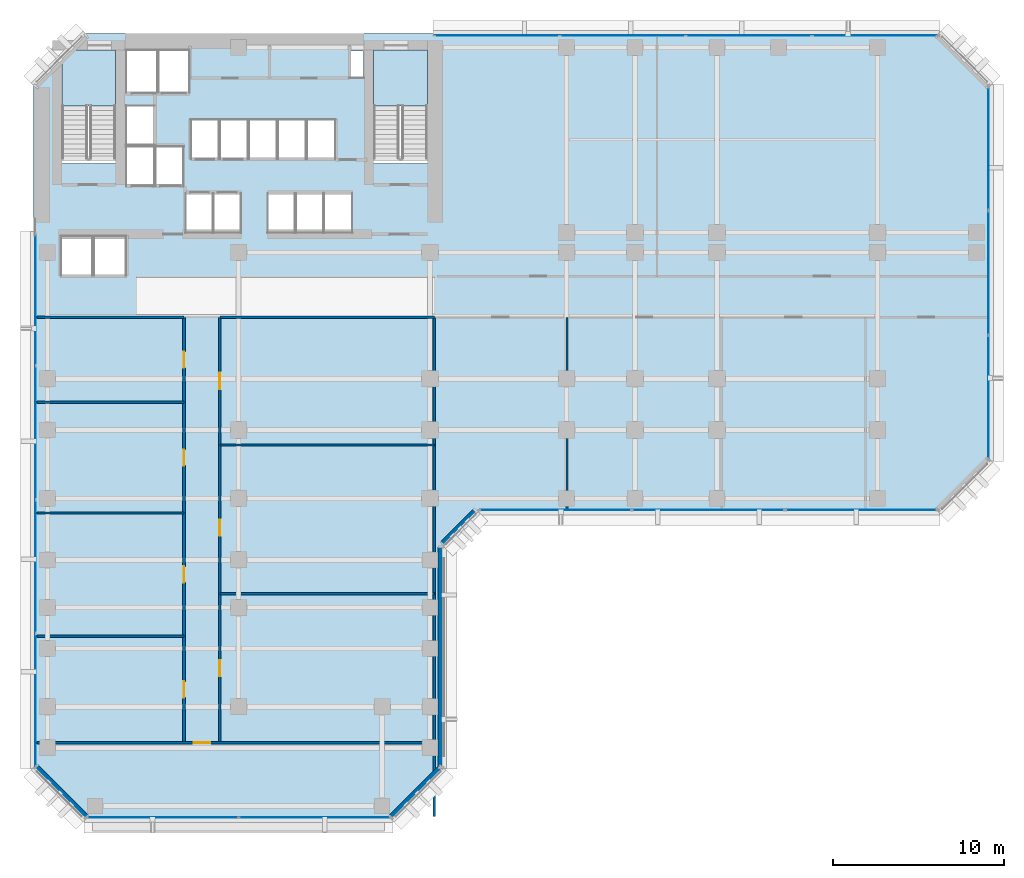
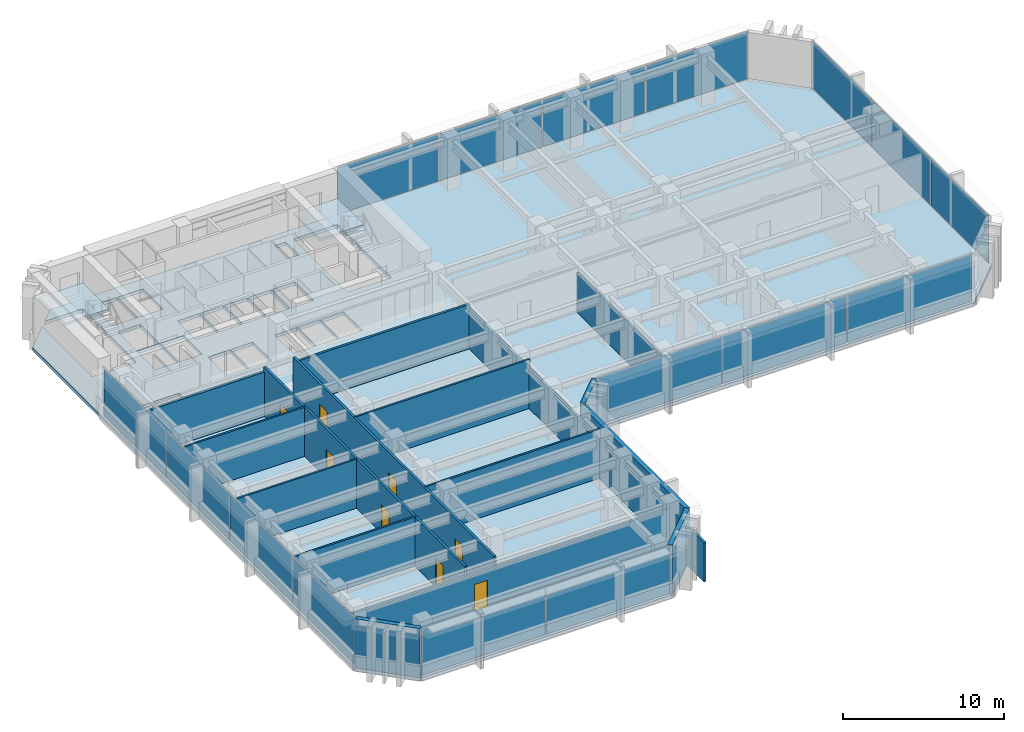
# One storey, part 6 of 13: 16 plates, 16 walls, 8 doors, 3 slabs, 8 openings, 7 elements without a shape of their own.
"""IFC4 building model written with IfcOpenShell, lengths in metres."""

from ifc_helpers import new_model, si_unit, direction, frame, frame_2d, origin, origin_2d, place, context, subcontext, project, spatial, polyline, rectangle, outline, extrude, material, layer, layer_set, type_object, element, fill, aggregate, save


model = new_model("IFC4")

# Units and contexts
model_context = context("Model", 3, precision=1e-05, world=origin(), true_north=direction((0.0, 1.0)))
body_context = subcontext(model_context, "Body", "Model", "MODEL_VIEW")
ifc_project = project(units=[si_unit("LENGTHUNIT", "METRE"), si_unit("AREAUNIT", "SQUARE_METRE"), si_unit("VOLUMEUNIT", "CUBIC_METRE"), si_unit("PLANEANGLEUNIT", "RADIAN"), si_unit("MASSUNIT", "GRAM", prefix="KILO")], contexts=[model_context])

# Site, building, storey
site_placement = place(None, origin())
site = spatial("IfcSite", under=ifc_project, at=site_placement, CompositionType="ELEMENT")
building_placement = place(site_placement, origin())
building = spatial("IfcBuilding", under=site, at=building_placement, Name="Kefirva Bronze Tower", CompositionType="ELEMENT")
storey_placement = place(building_placement, frame((0.0, 0.0, 54.1201171875)))
storey = spatial("IfcBuildingStorey", under=building, at=storey_placement, Name="L12", CompositionType="ELEMENT", Elevation=54.1201171875)

# Stair, slab
ifc_material_1 = material(Name="Concrete C40/50", Category="concrete")
stair_type = type_object("IfcStairType", Name="RC Dogleg Protected Stair 24R", PredefinedType="HALF_TURN_STAIR", material=ifc_material_1)
stair_1_placement = place(storey_placement, origin())
stair_1 = element("IfcStair", 1, at=stair_1_placement, inside=storey, type_object=stair_type, Name="L12 Protected Exit Stair 1", PredefinedType="HALF_TURN_STAIR")
ifc_layer_1 = layer(ifc_material_1, 0.199951171875, Name="Concrete C40/50")
ifc_layer_set_1 = layer_set([ifc_layer_1], Name="Concrete C40/50")
slab_type_1 = type_object("IfcSlabType", Name="RC Stair Landing Slab 200mm", PredefinedType="LANDING", material=ifc_layer_set_1)
slab_1_placement = place(storey_placement, frame((0.0, 0.0, 1.77978515625)))
slab_1 = element("IfcSlab", 2, at=slab_1_placement, type_object=slab_type_1, Name="ST-1 landing 1", PredefinedType="LANDING", context=body_context, shape_type="SweptSolid", body=[
    extrude(outline(polyline([(4.800048828125, 41.780029296875), (4.800048828125, 45.050048828125), (1.64990234375, 45.050048828125), (1.64990234375, 41.780029296875), (4.800048828125, 41.780029296875)])), origin(), (0.0, 0.0, 1.0), 0.2001953125),
])
aggregate(stair_1, [slab_1])

stair_2_placement = place(storey_placement, origin())
stair_2 = element("IfcStair", 3, at=stair_2_placement, inside=storey, type_object=stair_type, Name="L12 Protected Exit Stair 2", PredefinedType="HALF_TURN_STAIR")
slab_2_placement = place(storey_placement, frame((0.0, 0.0, 1.77978515625)))
slab_2 = element("IfcSlab", 4, at=slab_2_placement, type_object=slab_type_1, Name="ST-2 landing 1", PredefinedType="LANDING", context=body_context, shape_type="SweptSolid", body=[
    extrude(outline(polyline([(23.050048828125, 41.780029296875), (23.050048828125, 45.050048828125), (19.89990234375, 45.050048828125), (19.89990234375, 41.780029296875), (23.050048828125, 41.780029296875)])), origin(), (0.0, 0.0, 1.0), 0.2001953125),
])
aggregate(stair_2, [slab_2])

# Slab
ifc_layer_2 = layer(ifc_material_1, 0.25, Name="Concrete C40/50")
ifc_layer_set_2 = layer_set([ifc_layer_2], Name="Concrete C40/50")
slab_type_2 = type_object("IfcSlabType", Name="RC Tower Floor Slab 250mm", PredefinedType="FLOOR", material=ifc_layer_set_2)
slab_3_placement = place(storey_placement, frame((0.0, 0.0, -0.25)))
element("IfcSlab", 5, at=slab_3_placement, inside=storey, type_object=slab_type_2, Name="L12 Structural Floor Slab", PredefinedType="FLOOR", context=body_context, shape_type="SweptSolid", body=[
    extrude(outline(polyline([(0.0, 3.0), (0.0, 43.0), (1.64990234375, 44.64990234375), (1.64990234375, 38.39990234375), (4.800048828125, 38.39990234375), (4.800048828125, 45.050048828125), (2.050048828125, 45.050048828125), (3.0, 46.0), (53.0, 46.0), (56.0, 43.0), (56.0, 21.0), (53.0, 18.0), (26.0, 18.0), (24.0, 16.0), (24.0, 3.0), (21.0, 0.0), (3.0, 0.0), (0.0, 3.0)]), holes=[polyline([(19.89990234375, 38.39990234375), (23.050048828125, 38.39990234375), (23.050048828125, 45.050048828125), (19.89990234375, 45.050048828125), (19.89990234375, 38.39990234375)]), polyline([(18.52001953125, 43.419921875), (19.320068359375, 43.419921875), (19.320068359375, 45.0), (18.52001953125, 45.0), (18.52001953125, 43.419921875)]), polyline([(17.0, 34.35009765625), (18.64990234375, 34.35009765625), (18.64990234375, 36.64990234375), (17.0, 36.64990234375), (17.0, 34.35009765625)]), polyline([(17.64990234375, 38.679931640625), (17.64990234375, 40.97998046875), (16.0, 40.97998046875), (16.0, 38.679931640625), (17.64990234375, 38.679931640625)]), polyline([(16.949951171875, 34.35009765625), (16.949951171875, 36.64990234375), (15.35009765625, 36.64990234375), (15.35009765625, 34.35009765625), (16.949951171875, 34.35009765625)]), polyline([(15.929931640625, 38.679931640625), (15.929931640625, 40.97998046875), (14.300048828125, 40.97998046875), (14.300048828125, 38.679931640625), (15.929931640625, 38.679931640625)]), polyline([(15.300048828125, 34.35009765625), (15.300048828125, 36.64990234375), (13.699951171875, 36.64990234375), (13.699951171875, 34.35009765625), (15.300048828125, 34.35009765625)]), polyline([(14.22998046875, 38.679931640625), (14.22998046875, 40.97998046875), (12.60009765625, 40.97998046875), (12.60009765625, 38.679931640625), (14.22998046875, 38.679931640625)]), polyline([(10.89990234375, 38.679931640625), (12.530029296875, 38.679931640625), (12.530029296875, 40.97998046875), (10.89990234375, 40.97998046875), (10.89990234375, 38.679931640625)]), polyline([(12.139892578125, 34.35009765625), (12.139892578125, 36.64990234375), (10.5400390625, 36.64990234375), (10.5400390625, 34.35009765625), (12.139892578125, 34.35009765625)]), polyline([(10.830078125, 38.679931640625), (10.830078125, 40.97998046875), (9.199951171875, 40.97998046875), (9.199951171875, 38.679931640625), (10.830078125, 38.679931640625)]), polyline([(10.5, 34.35009765625), (10.5, 36.64990234375), (8.89990234375, 36.64990234375), (8.89990234375, 34.35009765625), (10.5, 34.35009765625)]), polyline([(7.300048828125, 42.550048828125), (9.1201171875, 42.550048828125), (9.1201171875, 45.050048828125), (7.300048828125, 45.050048828125), (7.300048828125, 42.550048828125)]), polyline([(7.139892578125, 37.10009765625), (8.780029296875, 37.10009765625), (8.780029296875, 39.39990234375), (7.139892578125, 39.39990234375), (7.139892578125, 37.10009765625)]), polyline([(5.419921875, 42.550048828125), (7.239990234375, 42.550048828125), (7.239990234375, 45.050048828125), (5.419921875, 45.050048828125), (5.419921875, 42.550048828125)]), polyline([(7.06005859375, 39.47998046875), (7.06005859375, 41.780029296875), (5.419921875, 41.780029296875), (5.419921875, 39.47998046875), (7.06005859375, 39.47998046875)]), polyline([(5.419921875, 37.10009765625), (7.06005859375, 37.10009765625), (7.06005859375, 39.39990234375), (5.419921875, 39.39990234375), (5.419921875, 37.10009765625)]), polyline([(5.39990234375, 31.85009765625), (5.39990234375, 34.14990234375), (3.550048828125, 34.14990234375), (3.550048828125, 31.85009765625), (5.39990234375, 31.85009765625)]), polyline([(3.449951171875, 31.85009765625), (3.449951171875, 34.14990234375), (1.60009765625, 34.14990234375), (1.60009765625, 31.85009765625), (3.449951171875, 31.85009765625)])]), origin(), (0.0, 0.0, 1.0), 0.25),
])

# Curtain wall, plates
ifc_material_2 = material(Name="Bronze anodised aluminium", Category="aluminium")
ifc_layer_3 = layer(ifc_material_2, 0.199951171875, Name="Bronze anodised aluminium")
ifc_layer_set_3 = layer_set([ifc_layer_3], Name="Bronze anodised aluminium")
curtain_wall_type = type_object("IfcCurtainWallType", Name="Unitised Bronze Ribbon Curtain Wall Zone 1", PredefinedType="USERDEFINED", material=ifc_layer_set_3)
curtain_wall_1_placement = place(storey_placement, origin())
curtain_wall_1 = element("IfcCurtainWall", 6, at=curtain_wall_1_placement, inside=storey, type_object=curtain_wall_type, Name="L12 Curtain Wall 1", ObjectType="UNITISED CURTAIN WALL", PredefinedType="USERDEFINED")
ifc_material_3 = material(Name="Laminated low-E double glazing", Category="glass")
ifc_layer_4 = layer(ifc_material_3, 0.031982421875, Name="Laminated low-E double glazing")
ifc_layer_set_4 = layer_set([ifc_layer_4], Name="Laminated low-E double glazing")
plate_type = type_object("IfcPlateType", Name="Solar-Control Low-E Vision Panel 32mm", PredefinedType="CURTAIN_PANEL", material=ifc_layer_set_4)
plate_1_placement = place(storey_placement, frame((7.546142578125, 0.1201171875, 0.074951171875), z_axis=(0.0, 0.0, 1.0), x_axis=(1.0, 0.0, 0.0)))
plate_1 = element("IfcPlate", 7, at=plate_1_placement, type_object=plate_type, Name="CW-01 panel 1.1", PredefinedType="CURTAIN_PANEL", context=body_context, shape_type="SweptSolid", body=[
    extrude(rectangle(XDim=8.83251953125, YDim=0.031982421875, at=origin_2d()), origin(), (0.0, 0.0, 1.0), 3.56005859375),
])
plate_2_placement = place(storey_placement, frame((16.453857421875, 0.1201171875, 0.074951171875), z_axis=(0.0, 0.0, 1.0), x_axis=(1.0, 0.0, 0.0)))
plate_2 = element("IfcPlate", 8, at=plate_2_placement, type_object=plate_type, Name="CW-01 panel 2.1", PredefinedType="CURTAIN_PANEL", context=body_context, shape_type="SweptSolid", body=[
    extrude(rectangle(XDim=8.83251953125, YDim=0.031982421875, at=origin_2d()), origin(), (0.0, 0.0, 1.0), 3.56005859375),
])
aggregate(curtain_wall_1, [plate_1, plate_2])

curtain_wall_2_placement = place(storey_placement, origin())
curtain_wall_2 = element("IfcCurtainWall", 9, at=curtain_wall_2_placement, inside=storey, type_object=curtain_wall_type, Name="L12 Curtain Wall 2", ObjectType="UNITISED CURTAIN WALL", PredefinedType="USERDEFINED")
plate_3_placement = place(storey_placement, frame((30.555419921875, 18.1201171875, 0.074951171875), z_axis=(0.0, 0.0, 1.0), x_axis=(1.0, 0.0, 0.0)))
plate_3 = element("IfcPlate", 10, at=plate_3_placement, type_object=plate_type, Name="CW-01 panel 1.1", PredefinedType="CURTAIN_PANEL", context=body_context, shape_type="SweptSolid", body=[
    extrude(rectangle(XDim=8.850830078125, YDim=0.031982421875, at=origin_2d()), origin(), (0.0, 0.0, 1.0), 3.56005859375),
])
plate_4_placement = place(storey_placement, frame((39.5, 18.1201171875, 0.074951171875), z_axis=(0.0, 0.0, 1.0), x_axis=(1.0, 0.0, 0.0)))
plate_4 = element("IfcPlate", 11, at=plate_4_placement, type_object=plate_type, Name="CW-01 panel 2.1", PredefinedType="CURTAIN_PANEL", context=body_context, shape_type="SweptSolid", body=[
    extrude(rectangle(XDim=8.888427734375, YDim=0.031982421875, at=origin_2d()), origin(), (0.0, 0.0, 1.0), 3.56005859375),
])
plate_5_placement = place(storey_placement, frame((48.444580078125, 18.1201171875, 0.074951171875), z_axis=(0.0, 0.0, 1.0), x_axis=(1.0, 0.0, 0.0)))
plate_5 = element("IfcPlate", 12, at=plate_5_placement, type_object=plate_type, Name="CW-01 panel 3.1", PredefinedType="CURTAIN_PANEL", context=body_context, shape_type="SweptSolid", body=[
    extrude(rectangle(XDim=8.850830078125, YDim=0.031982421875, at=origin_2d()), origin(), (0.0, 0.0, 1.0), 3.56005859375),
])
aggregate(curtain_wall_2, [plate_3, plate_4, plate_5])

curtain_wall_3_placement = place(storey_placement, origin())
curtain_wall_3 = element("IfcCurtainWall", 13, at=curtain_wall_3_placement, inside=storey, type_object=curtain_wall_type, Name="L12 Curtain Wall 3", ObjectType="UNITISED CURTAIN WALL", PredefinedType="USERDEFINED")
plate_6_placement = place(storey_placement, frame((55.8798828125, 24.72216796875, 0.074951171875), z_axis=(0.0, 0.0, 1.0), x_axis=(0.0, 1.0, 0.0)))
plate_6 = element("IfcPlate", 14, at=plate_6_placement, type_object=plate_type, Name="CW-01 panel 1.1", PredefinedType="CURTAIN_PANEL", context=body_context, shape_type="SweptSolid", body=[
    extrude(rectangle(XDim=7.18408203125, YDim=0.031982421875, at=origin_2d()), origin(), (0.0, 0.0, 1.0), 3.56005859375),
])
plate_7_placement = place(storey_placement, frame((55.8798828125, 32.0, 0.074951171875), z_axis=(0.0, 0.0, 1.0), x_axis=(0.0, 1.0, 0.0)))
plate_7 = element("IfcPlate", 15, at=plate_7_placement, type_object=plate_type, Name="CW-01 panel 2.1", PredefinedType="CURTAIN_PANEL", context=body_context, shape_type="SweptSolid", body=[
    extrude(rectangle(XDim=7.2216796875, YDim=0.031982421875, at=origin_2d()), origin(), (0.0, 0.0, 1.0), 3.56005859375),
])
plate_8_placement = place(storey_placement, frame((55.8798828125, 39.27783203125, 0.074951171875), z_axis=(0.0, 0.0, 1.0), x_axis=(0.0, 1.0, 0.0)))
plate_8 = element("IfcPlate", 16, at=plate_8_placement, type_object=plate_type, Name="CW-01 panel 3.1", PredefinedType="CURTAIN_PANEL", context=body_context, shape_type="SweptSolid", body=[
    extrude(rectangle(XDim=7.18408203125, YDim=0.031982421875, at=origin_2d()), origin(), (0.0, 0.0, 1.0), 3.56005859375),
])
aggregate(curtain_wall_3, [plate_6, plate_7, plate_8])

curtain_wall_4_placement = place(storey_placement, origin())
curtain_wall_4 = element("IfcCurtainWall", 17, at=curtain_wall_4_placement, inside=storey, type_object=curtain_wall_type, Name="L12 Curtain Wall 4", ObjectType="UNITISED CURTAIN WALL", PredefinedType="USERDEFINED")
plate_9_placement = place(storey_placement, frame((49.233642578125, 45.8798828125, 0.074951171875), z_axis=(0.0, 0.0, 1.0), x_axis=(-1.0, 0.0, 0.0)))
plate_9 = element("IfcPlate", 18, at=plate_9_placement, type_object=plate_type, Name="CW-01 panel 1.1", PredefinedType="CURTAIN_PANEL", context=body_context, shape_type="SweptSolid", body=[
    extrude(rectangle(XDim=7.2724609375, YDim=0.031982421875, at=origin_2d()), origin(), (0.0, 0.0, 1.0), 3.56005859375),
])
plate_10_placement = place(storey_placement, frame((41.867431640625, 45.8798828125, 0.074951171875), z_axis=(0.0, 0.0, 1.0), x_axis=(-1.0, 0.0, 0.0)))
plate_10 = element("IfcPlate", 19, at=plate_10_placement, type_object=plate_type, Name="CW-01 panel 2.1", PredefinedType="CURTAIN_PANEL", context=body_context, shape_type="SweptSolid", body=[
    extrude(rectangle(XDim=7.31005859375, YDim=0.031982421875, at=origin_2d()), origin(), (0.0, 0.0, 1.0), 3.56005859375),
])
plate_11_placement = place(storey_placement, frame((34.482421875, 45.8798828125, 0.074951171875), z_axis=(0.0, 0.0, 1.0), x_axis=(-1.0, 0.0, 0.0)))
plate_11 = element("IfcPlate", 20, at=plate_11_placement, type_object=plate_type, Name="CW-01 panel 3.1", PredefinedType="CURTAIN_PANEL", context=body_context, shape_type="SweptSolid", body=[
    extrude(rectangle(XDim=7.31005859375, YDim=0.031982421875, at=origin_2d()), origin(), (0.0, 0.0, 1.0), 3.56005859375),
])
plate_12_placement = place(storey_placement, frame((27.1162109375, 45.8798828125, 0.074951171875), z_axis=(0.0, 0.0, 1.0), x_axis=(-1.0, 0.0, 0.0)))
plate_12 = element("IfcPlate", 21, at=plate_12_placement, type_object=plate_type, Name="CW-01 panel 4.1", PredefinedType="CURTAIN_PANEL", context=body_context, shape_type="SweptSolid", body=[
    extrude(rectangle(XDim=7.2724609375, YDim=0.031982421875, at=origin_2d()), origin(), (0.0, 0.0, 1.0), 3.56005859375),
])
aggregate(curtain_wall_4, [plate_9, plate_10, plate_11, plate_12])

curtain_wall_5_placement = place(storey_placement, origin())
curtain_wall_5 = element("IfcCurtainWall", 22, at=curtain_wall_5_placement, inside=storey, type_object=curtain_wall_type, Name="L12 Curtain Wall 5", ObjectType="UNITISED CURTAIN WALL", PredefinedType="USERDEFINED")
plate_13_placement = place(storey_placement, frame((0.1201171875, 30.458740234375, 0.074951171875), z_axis=(0.0, 0.0, 1.0), x_axis=(0.0, -1.0, 0.0)))
plate_13 = element("IfcPlate", 23, at=plate_13_placement, type_object=plate_type, Name="CW-01 panel 1.1", PredefinedType="CURTAIN_PANEL", context=body_context, shape_type="SweptSolid", body=[
    extrude(rectangle(XDim=7.722412109375, YDim=0.031982421875, at=origin_2d()), origin(), (0.0, 0.0, 1.0), 3.56005859375),
])
plate_14_placement = place(storey_placement, frame((0.1201171875, 22.642578125, 0.074951171875), z_axis=(0.0, 0.0, 1.0), x_axis=(0.0, -1.0, 0.0)))
plate_14 = element("IfcPlate", 24, at=plate_14_placement, type_object=plate_type, Name="CW-01 panel 2.1", PredefinedType="CURTAIN_PANEL", context=body_context, shape_type="SweptSolid", body=[
    extrude(rectangle(XDim=7.760009765625, YDim=0.031982421875, at=origin_2d()), origin(), (0.0, 0.0, 1.0), 3.56005859375),
])
plate_15_placement = place(storey_placement, frame((0.1201171875, 14.8076171875, 0.074951171875), z_axis=(0.0, 0.0, 1.0), x_axis=(0.0, -1.0, 0.0)))
plate_15 = element("IfcPlate", 25, at=plate_15_placement, type_object=plate_type, Name="CW-01 panel 3.1", PredefinedType="CURTAIN_PANEL", context=body_context, shape_type="SweptSolid", body=[
    extrude(rectangle(XDim=7.760009765625, YDim=0.031982421875, at=origin_2d()), origin(), (0.0, 0.0, 1.0), 3.56005859375),
])
plate_16_placement = place(storey_placement, frame((0.1201171875, 6.9912109375, 0.074951171875), z_axis=(0.0, 0.0, 1.0), x_axis=(0.0, -1.0, 0.0)))
plate_16 = element("IfcPlate", 26, at=plate_16_placement, type_object=plate_type, Name="CW-01 panel 4.1", PredefinedType="CURTAIN_PANEL", context=body_context, shape_type="SweptSolid", body=[
    extrude(rectangle(XDim=7.722412109375, YDim=0.031982421875, at=origin_2d()), origin(), (0.0, 0.0, 1.0), 3.56005859375),
])
aggregate(curtain_wall_5, [plate_13, plate_14, plate_15, plate_16])

# Walls
ifc_material_4 = material(Name="Gypsum acoustic partition")
ifc_layer_5 = layer(ifc_material_4, 0.1298828125, Name="Gypsum acoustic partition")
ifc_layer_set_5 = layer_set([ifc_layer_5], Name="Gypsum acoustic partition")
wall_type_1 = type_object("IfcWallType", Name="Acoustic Office Partition 130mm", PredefinedType="PARTITIONING", material=ifc_layer_set_5)
for number, where, z_axis, x_axis, name in (
    (27, (0.18994140625, 10.72509765625, 0.0), (0.0, 0.0, 1.0), (1.0, 0.0, 0.0), "L12 Partition W-L12-SWD1"),
    (28, (0.18994140625, 17.946044921875, 0.0), (0.0, 0.0, 1.0), (1.0, 0.0, 0.0), "L12 Partition W-L12-SWD2"),
    (29, (0.18994140625, 24.419921875, 0.0), (0.0, 0.0, 1.0), (1.0, 0.0, 0.0), "L12 Partition W-L12-SWD3"),
):
    element("IfcWall", number, at=place(storey_placement, frame(where, z_axis=z_axis, x_axis=x_axis)), inside=storey, type_object=wall_type_1, Name=name, PredefinedType="PARTITIONING", context=body_context, shape_type="SweptSolid", body=[
        extrude(rectangle(XDim=8.610107421875, YDim=0.1298828125, at=frame_2d((4.30517578125, 0.0))), origin(), (0.0, 0.0, 1.0), 3.7099609375),
    ])
for number, where, z_axis, x_axis, name in (
    (30, (10.89990234375, 13.215087890625, 0.0), (0.0, 0.0, 1.0), (1.0, 0.0, 0.0), "L12 Partition W-L12-SED1"),
    (31, (10.89990234375, 21.929931640625, 0.0), (0.0, 0.0, 1.0), (1.0, 0.0, 0.0), "L12 Partition W-L12-SED2"),
):
    element("IfcWall", number, at=place(storey_placement, frame(where, z_axis=z_axis, x_axis=x_axis)), inside=storey, type_object=wall_type_1, Name=name, PredefinedType="PARTITIONING", context=body_context, shape_type="SweptSolid", body=[
        extrude(rectangle(XDim=12.550048828125, YDim=0.1298828125, at=frame_2d((6.27490234375, 0.0))), origin(), (0.0, 0.0, 1.0), 3.7099609375),
    ])
wall_1_placement = place(storey_placement, frame((31.21630859375, 18.18994140625, 0.0), z_axis=(0.0, 0.0, 1.0), x_axis=(0.0, 1.0, 0.0)))
element("IfcWall", 32, at=wall_1_placement, inside=storey, type_object=wall_type_1, Name="L12 Partition W-L12-ESD1", PredefinedType="PARTITIONING", context=body_context, shape_type="SweptSolid", body=[
    extrude(rectangle(XDim=11.2099609375, YDim=0.1298828125, at=frame_2d((5.60498046875, 0.0))), origin(), (0.0, 0.0, 1.0), 2.994873046875),
])
ifc_material_5 = material(Name="Precast concrete C40/50", Category="concrete")
ifc_layer_6 = layer(ifc_material_5, 0.320068359375, Name="Precast concrete C40/50")
ifc_layer_set_6 = layer_set([ifc_layer_6], Name="Precast concrete C40/50")
wall_type_2 = type_object("IfcWallType", Name="Precast Insulated Exterior Wall 320mm", PredefinedType="SOLIDWALL", material=ifc_layer_set_6)
wall_2_placement = place(storey_placement, frame((20.92578125, 0.152099609375, 0.0), z_axis=(0.0, 0.0, 1.0), x_axis=(0.707106781187, 0.707106781187, 0.0)))
element("IfcWall", 33, at=wall_2_placement, inside=storey, type_object=wall_type_2, Name="L12 Exterior Facade Wall 1", PredefinedType="SOLIDWALL", context=body_context, shape_type="SweptSolid", body=[
    extrude(rectangle(XDim=4.132568359375, YDim=0.320068359375, at=frame_2d((2.06640625, 0.0))), origin(), (0.0, 0.0, 1.0), 3.7099609375),
])
wall_3_placement = place(storey_placement, frame((23.840087890625, 3.054931640625, 0.0), z_axis=(0.0, 0.0, 1.0), x_axis=(0.0, 1.0, 0.0)))
element("IfcWall", 34, at=wall_3_placement, inside=storey, type_object=wall_type_2, Name="L12 Exterior Facade Wall 2", PredefinedType="SOLIDWALL", context=body_context, shape_type="SweptSolid", body=[
    extrude(rectangle(XDim=12.89013671875, YDim=0.320068359375, at=frame_2d((6.445068359375, 0.0))), origin(), (0.0, 0.0, 1.0), 3.7099609375),
])
wall_4_placement = place(storey_placement, frame((23.92578125, 16.152099609375, 0.0), z_axis=(0.0, 0.0, 1.0), x_axis=(0.707106781187, 0.707106781187, 0.0)))
element("IfcWall", 35, at=wall_4_placement, inside=storey, type_object=wall_type_2, Name="L12 Exterior Facade Wall 3", PredefinedType="SOLIDWALL", context=body_context, shape_type="SweptSolid", body=[
    extrude(rectangle(XDim=2.71826171875, YDim=0.320068359375, at=frame_2d((1.359130859375, 0.0))), origin(), (0.0, 0.0, 1.0), 3.7099609375),
])
wall_5_placement = place(storey_placement, frame((0.152099609375, 3.07421875, 0.0), z_axis=(0.0, 0.0, 1.0), x_axis=(0.707106781187, -0.707106781187, 0.0)))
element("IfcWall", 36, at=wall_5_placement, inside=storey, type_object=wall_type_2, Name="L12 Exterior Facade Wall 7", PredefinedType="SOLIDWALL", context=body_context, shape_type="SweptSolid", body=[
    extrude(rectangle(XDim=4.132568359375, YDim=0.320068359375, at=frame_2d((2.06640625, 0.0))), origin(), (0.0, 0.0, 1.0), 3.7099609375),
])

# Wall, openings, doors
ifc_layer_7 = layer(ifc_material_4, 0.159912109375, Name="Gypsum acoustic partition")
ifc_layer_set_7 = layer_set([ifc_layer_7], Name="Gypsum acoustic partition")
wall_type_3 = type_object("IfcWallType", Name="Protected Corridor Partition 160mm", PredefinedType="PARTITIONING", material=ifc_layer_set_7)
wall_6_placement = place(storey_placement, frame((8.800048828125, 4.5, 0.0), z_axis=(0.0, 0.0, 1.0), x_axis=(0.0, 1.0, 0.0)))
wall_6 = element("IfcWall", 37, at=wall_6_placement, inside=storey, type_object=wall_type_3, Name="L12 Partition W-L12-SWCORW", PredefinedType="PARTITIONING", context=body_context, shape_type="SweptSolid", body=[
    extrude(rectangle(XDim=24.89990234375, YDim=0.159912109375, at=frame_2d((12.449951171875, 0.0))), origin(), (0.0, 0.0, 1.0), 3.7099609375),
])
opening_1_placement = place(wall_6_placement, frame((3.58740234375, 0.0, 0.0), z_axis=(0.0, 0.0, 1.0), x_axis=(-1.0, 0.0, 0.0)))
opening_1 = element("IfcOpeningElement", 38, at=opening_1_placement, cuts=wall_6, Name="Opening L12-D-SW1", PredefinedType="OPENING", context=body_context, shape_type="SweptSolid", body=[
    extrude(rectangle(XDim=0.949951171875, YDim=2.14990234375, at=frame_2d((0.47509765625, 1.074951171875))), frame((0.0, 0.08984375, 0.0), z_axis=(0.0, -1.0, 0.0), x_axis=(1.0, 0.0, 0.0)), (0.0, 0.0, 1.0), 0.179931640625),
])
opening_2_placement = place(wall_6_placement, frame((10.310546875, 0.0, 0.0), z_axis=(0.0, 0.0, 1.0), x_axis=(-1.0, 0.0, 0.0)))
opening_2 = element("IfcOpeningElement", 39, at=opening_2_placement, cuts=wall_6, Name="Opening L12-D-SW2", PredefinedType="OPENING", context=body_context, shape_type="SweptSolid", body=[
    extrude(rectangle(XDim=0.949951171875, YDim=2.14990234375, at=frame_2d((0.47509765625, 1.074951171875))), frame((0.0, 0.08984375, 0.0), z_axis=(0.0, -1.0, 0.0), x_axis=(1.0, 0.0, 0.0)), (0.0, 0.0, 1.0), 0.179931640625),
])
opening_3_placement = place(wall_6_placement, frame((17.157958984375, 0.0, 0.0), z_axis=(0.0, 0.0, 1.0), x_axis=(-1.0, 0.0, 0.0)))
opening_3 = element("IfcOpeningElement", 40, at=opening_3_placement, cuts=wall_6, Name="Opening L12-D-SW3", PredefinedType="OPENING", context=body_context, shape_type="SweptSolid", body=[
    extrude(rectangle(XDim=0.949951171875, YDim=2.14990234375, at=frame_2d((0.47509765625, 1.074951171875))), frame((0.0, 0.08984375, 0.0), z_axis=(0.0, -1.0, 0.0), x_axis=(1.0, 0.0, 0.0)), (0.0, 0.0, 1.0), 0.179931640625),
])
opening_4_placement = place(wall_6_placement, frame((22.885009765625, 0.0, 0.0), z_axis=(0.0, 0.0, 1.0), x_axis=(-1.0, 0.0, 0.0)))
opening_4 = element("IfcOpeningElement", 41, at=opening_4_placement, cuts=wall_6, Name="Opening L12-D-SW4", PredefinedType="OPENING", context=body_context, shape_type="SweptSolid", body=[
    extrude(rectangle(XDim=0.949951171875, YDim=2.14990234375, at=frame_2d((0.47509765625, 1.074951171875))), frame((0.0, 0.08984375, 0.0), z_axis=(0.0, -1.0, 0.0), x_axis=(1.0, 0.0, 0.0)), (0.0, 0.0, 1.0), 0.179931640625),
])
ifc_material_6 = material(Name="Acoustic hardwood oak", Category="wood")
door_type = type_object("IfcDoorType", Name="Office & Meeting Room Door 950x2150", OperationType="NOTDEFINED", PredefinedType="DOOR", material=ifc_material_6)
door_1_placement = place(opening_1_placement, origin())
door_1 = element("IfcDoor", 42, at=door_1_placement, inside=storey, type_object=door_type, Name="Door L12-D-SW1", OperationType="SINGLE_SWING_RIGHT", OverallHeight=2.14990234375, OverallWidth=0.949951171875, PredefinedType="DOOR", context=body_context, shape_type="SweptSolid", body=[
    extrude(rectangle(XDim=0.949951171875, YDim=2.14990234375, at=frame_2d((0.47509765625, 1.074951171875))), frame((0.0, 0.02490234375, 0.0), z_axis=(0.0, -1.0, 0.0), x_axis=(1.0, 0.0, 0.0)), (0.0, 0.0, 1.0), 0.050048828125),
])
fill(opening_1, door_1)
door_2_placement = place(opening_2_placement, origin())
door_2 = element("IfcDoor", 43, at=door_2_placement, inside=storey, type_object=door_type, Name="Door L12-D-SW2", OperationType="SINGLE_SWING_LEFT", OverallHeight=2.14990234375, OverallWidth=0.949951171875, PredefinedType="DOOR", context=body_context, shape_type="SweptSolid", body=[
    extrude(rectangle(XDim=0.949951171875, YDim=2.14990234375, at=frame_2d((0.47509765625, 1.074951171875))), frame((0.0, 0.02490234375, 0.0), z_axis=(0.0, -1.0, 0.0), x_axis=(1.0, 0.0, 0.0)), (0.0, 0.0, 1.0), 0.050048828125),
])
fill(opening_2, door_2)
door_3_placement = place(opening_3_placement, origin())
door_3 = element("IfcDoor", 44, at=door_3_placement, inside=storey, type_object=door_type, Name="Door L12-D-SW3", OperationType="SINGLE_SWING_RIGHT", OverallHeight=2.14990234375, OverallWidth=0.949951171875, PredefinedType="DOOR", context=body_context, shape_type="SweptSolid", body=[
    extrude(rectangle(XDim=0.949951171875, YDim=2.14990234375, at=frame_2d((0.47509765625, 1.074951171875))), frame((0.0, 0.02490234375, 0.0), z_axis=(0.0, -1.0, 0.0), x_axis=(1.0, 0.0, 0.0)), (0.0, 0.0, 1.0), 0.050048828125),
])
fill(opening_3, door_3)
door_4_placement = place(opening_4_placement, origin())
door_4 = element("IfcDoor", 45, at=door_4_placement, inside=storey, type_object=door_type, Name="Door L12-D-SW4", OperationType="SINGLE_SWING_LEFT", OverallHeight=2.14990234375, OverallWidth=0.949951171875, PredefinedType="DOOR", context=body_context, shape_type="SweptSolid", body=[
    extrude(rectangle(XDim=0.949951171875, YDim=2.14990234375, at=frame_2d((0.47509765625, 1.074951171875))), frame((0.0, 0.02490234375, 0.0), z_axis=(0.0, -1.0, 0.0), x_axis=(1.0, 0.0, 0.0)), (0.0, 0.0, 1.0), 0.050048828125),
])
fill(opening_4, door_4)

wall_7_placement = place(storey_placement, frame((10.89990234375, 4.5, 0.0), z_axis=(0.0, 0.0, 1.0), x_axis=(0.0, 1.0, 0.0)))
wall_7 = element("IfcWall", 46, at=wall_7_placement, inside=storey, type_object=wall_type_3, Name="L12 Partition W-L12-SECORE", PredefinedType="PARTITIONING", context=body_context, shape_type="SweptSolid", body=[
    extrude(rectangle(XDim=24.89990234375, YDim=0.159912109375, at=frame_2d((12.449951171875, 0.0))), origin(), (0.0, 0.0, 1.0), 3.7099609375),
])
opening_5_placement = place(wall_7_placement, frame((3.882568359375, 0.0, 0.0)))
opening_5 = element("IfcOpeningElement", 47, at=opening_5_placement, cuts=wall_7, Name="Opening L12-D-SE1", PredefinedType="OPENING", context=body_context, shape_type="SweptSolid", body=[
    extrude(rectangle(XDim=0.949951171875, YDim=2.14990234375, at=frame_2d((0.47509765625, 1.074951171875))), frame((0.0, 0.08984375, 0.0), z_axis=(0.0, -1.0, 0.0), x_axis=(1.0, 0.0, 0.0)), (0.0, 0.0, 1.0), 0.179931640625),
])
opening_6_placement = place(wall_7_placement, frame((12.097412109375, 0.0, 0.0)))
opening_6 = element("IfcOpeningElement", 48, at=opening_6_placement, cuts=wall_7, Name="Opening L12-D-SE2", PredefinedType="OPENING", context=body_context, shape_type="SweptSolid", body=[
    extrude(rectangle(XDim=0.949951171875, YDim=2.14990234375, at=frame_2d((0.47509765625, 1.074951171875))), frame((0.0, 0.08984375, 0.0), z_axis=(0.0, -1.0, 0.0), x_axis=(1.0, 0.0, 0.0)), (0.0, 0.0, 1.0), 0.179931640625),
])
opening_7_placement = place(wall_7_placement, frame((20.68994140625, 0.0, 0.0)))
opening_7 = element("IfcOpeningElement", 49, at=opening_7_placement, cuts=wall_7, Name="Opening L12-D-SE3", PredefinedType="OPENING", context=body_context, shape_type="SweptSolid", body=[
    extrude(rectangle(XDim=0.949951171875, YDim=2.14990234375, at=frame_2d((0.47509765625, 1.074951171875))), frame((0.0, 0.08984375, 0.0), z_axis=(0.0, -1.0, 0.0), x_axis=(1.0, 0.0, 0.0)), (0.0, 0.0, 1.0), 0.179931640625),
])
door_5_placement = place(opening_5_placement, origin())
door_5 = element("IfcDoor", 50, at=door_5_placement, inside=storey, type_object=door_type, Name="Door L12-D-SE1", OperationType="SINGLE_SWING_RIGHT", OverallHeight=2.14990234375, OverallWidth=0.949951171875, PredefinedType="DOOR", context=body_context, shape_type="SweptSolid", body=[
    extrude(rectangle(XDim=0.949951171875, YDim=2.14990234375, at=frame_2d((0.47509765625, 1.074951171875))), frame((0.0, 0.02490234375, 0.0), z_axis=(0.0, -1.0, 0.0), x_axis=(1.0, 0.0, 0.0)), (0.0, 0.0, 1.0), 0.050048828125),
])
fill(opening_5, door_5)
door_6_placement = place(opening_6_placement, origin())
door_6 = element("IfcDoor", 51, at=door_6_placement, inside=storey, type_object=door_type, Name="Door L12-D-SE2", OperationType="SINGLE_SWING_LEFT", OverallHeight=2.14990234375, OverallWidth=0.949951171875, PredefinedType="DOOR", context=body_context, shape_type="SweptSolid", body=[
    extrude(rectangle(XDim=0.949951171875, YDim=2.14990234375, at=frame_2d((0.47509765625, 1.074951171875))), frame((0.0, 0.02490234375, 0.0), z_axis=(0.0, -1.0, 0.0), x_axis=(1.0, 0.0, 0.0)), (0.0, 0.0, 1.0), 0.050048828125),
])
fill(opening_6, door_6)
door_7_placement = place(opening_7_placement, origin())
door_7 = element("IfcDoor", 52, at=door_7_placement, inside=storey, type_object=door_type, Name="Door L12-D-SE3", OperationType="SINGLE_SWING_RIGHT", OverallHeight=2.14990234375, OverallWidth=0.949951171875, PredefinedType="DOOR", context=body_context, shape_type="SweptSolid", body=[
    extrude(rectangle(XDim=0.949951171875, YDim=2.14990234375, at=frame_2d((0.47509765625, 1.074951171875))), frame((0.0, 0.02490234375, 0.0), z_axis=(0.0, -1.0, 0.0), x_axis=(1.0, 0.0, 0.0)), (0.0, 0.0, 1.0), 0.050048828125),
])
fill(opening_7, door_7)

# Wall, opening, door
wall_8_placement = place(storey_placement, frame((0.18994140625, 4.5, 0.0), z_axis=(0.0, 0.0, 1.0), x_axis=(1.0, 0.0, 0.0)))
wall_8 = element("IfcWall", 53, at=wall_8_placement, inside=storey, type_object=wall_type_3, Name="L12 Partition W-L12-SBEND", PredefinedType="PARTITIONING", context=body_context, shape_type="SweptSolid", body=[
    extrude(rectangle(XDim=23.260009765625, YDim=0.159912109375, at=frame_2d((11.6298828125, 0.0))), origin(), (0.0, 0.0, 1.0), 2.994873046875),
])
opening_8_placement = place(wall_8_placement, frame((9.18994140625, 0.0, 0.0)))
opening_8 = element("IfcOpeningElement", 54, at=opening_8_placement, cuts=wall_8, Name="Opening L12-D-SEND1", PredefinedType="OPENING", context=body_context, shape_type="SweptSolid", body=[
    extrude(rectangle(XDim=0.949951171875, YDim=2.14990234375, at=frame_2d((0.47509765625, 1.074951171875))), frame((0.0, 0.08984375, 0.0), z_axis=(0.0, -1.0, 0.0), x_axis=(1.0, 0.0, 0.0)), (0.0, 0.0, 1.0), 0.179931640625),
])
door_8_placement = place(opening_8_placement, origin())
door_8 = element("IfcDoor", 55, at=door_8_placement, inside=storey, type_object=door_type, Name="Door L12-D-SEND1", OperationType="SINGLE_SWING_LEFT", OverallHeight=2.14990234375, OverallWidth=0.949951171875, PredefinedType="DOOR", context=body_context, shape_type="SweptSolid", body=[
    extrude(rectangle(XDim=0.949951171875, YDim=2.14990234375, at=frame_2d((0.47509765625, 1.074951171875))), frame((0.0, 0.02490234375, 0.0), z_axis=(0.0, -1.0, 0.0), x_axis=(1.0, 0.0, 0.0)), (0.0, 0.0, 1.0), 0.050048828125),
])
fill(opening_8, door_8)

# Walls
wall_9_placement = place(storey_placement, frame((0.18994140625, 29.39990234375, 0.0), z_axis=(0.0, 0.0, 1.0), x_axis=(1.0, 0.0, 0.0)))
element("IfcWall", 56, at=wall_9_placement, inside=storey, type_object=wall_type_3, Name="L12 Partition W-L12-NWT", PredefinedType="PARTITIONING", context=body_context, shape_type="SweptSolid", body=[
    extrude(rectangle(XDim=8.610107421875, YDim=0.159912109375, at=frame_2d((4.30517578125, 0.0))), origin(), (0.0, 0.0, 1.0), 3.364990234375),
])
wall_10_placement = place(storey_placement, frame((10.89990234375, 29.39990234375, 0.0), z_axis=(0.0, 0.0, 1.0), x_axis=(1.0, 0.0, 0.0)))
element("IfcWall", 57, at=wall_10_placement, inside=storey, type_object=wall_type_3, Name="L12 Partition W-L12-NET", PredefinedType="PARTITIONING", context=body_context, shape_type="SweptSolid", body=[
    extrude(rectangle(XDim=12.550048828125, YDim=0.159912109375, at=frame_2d((6.27490234375, 0.0))), origin(), (0.0, 0.0, 1.0), 3.364990234375),
])
wall_11_placement = place(storey_placement, frame((23.449951171875, 0.18994140625, 0.0), z_axis=(0.0, 0.0, 1.0), x_axis=(0.0, 1.0, 0.0)))
element("IfcWall", 58, at=wall_11_placement, inside=storey, type_object=wall_type_3, Name="L12 Partition W-L12-SWEAST", PredefinedType="PARTITIONING", context=body_context, shape_type="SweptSolid", body=[
    extrude(rectangle(XDim=29.2099609375, YDim=0.159912109375, at=frame_2d((14.60498046875, 0.0))), origin(), (0.0, 0.0, 1.0), 2.994873046875),
])

save(model, "model.ifc")
